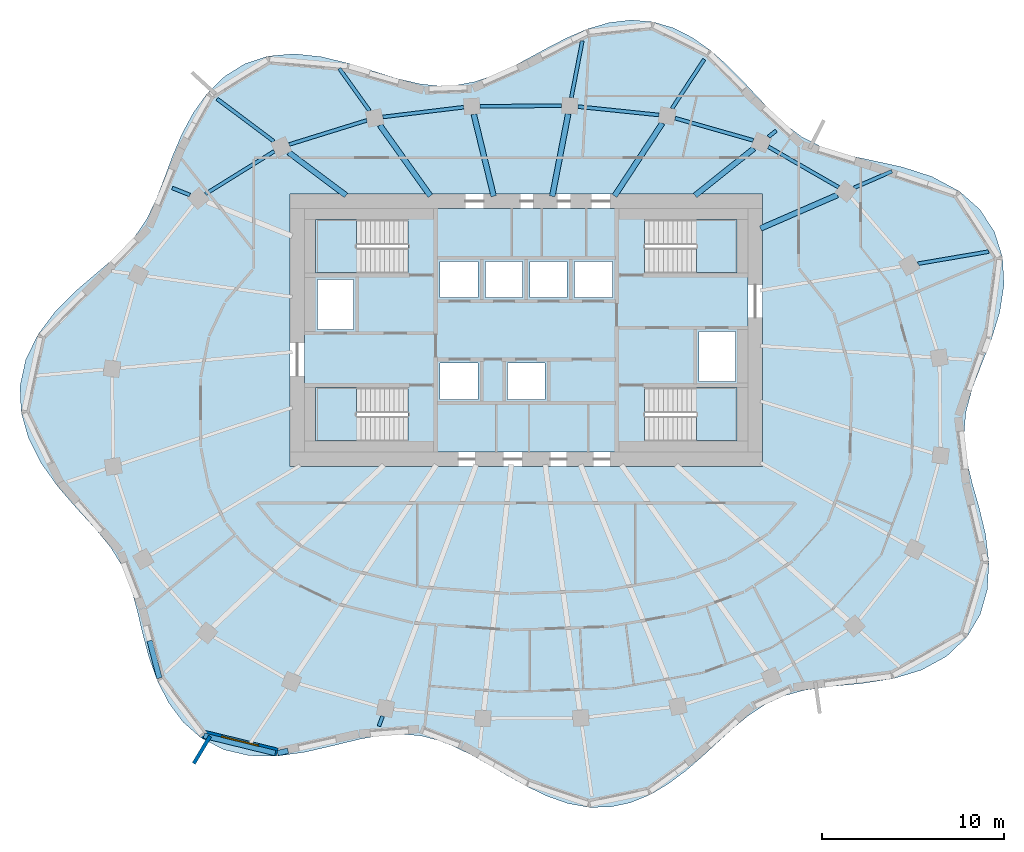
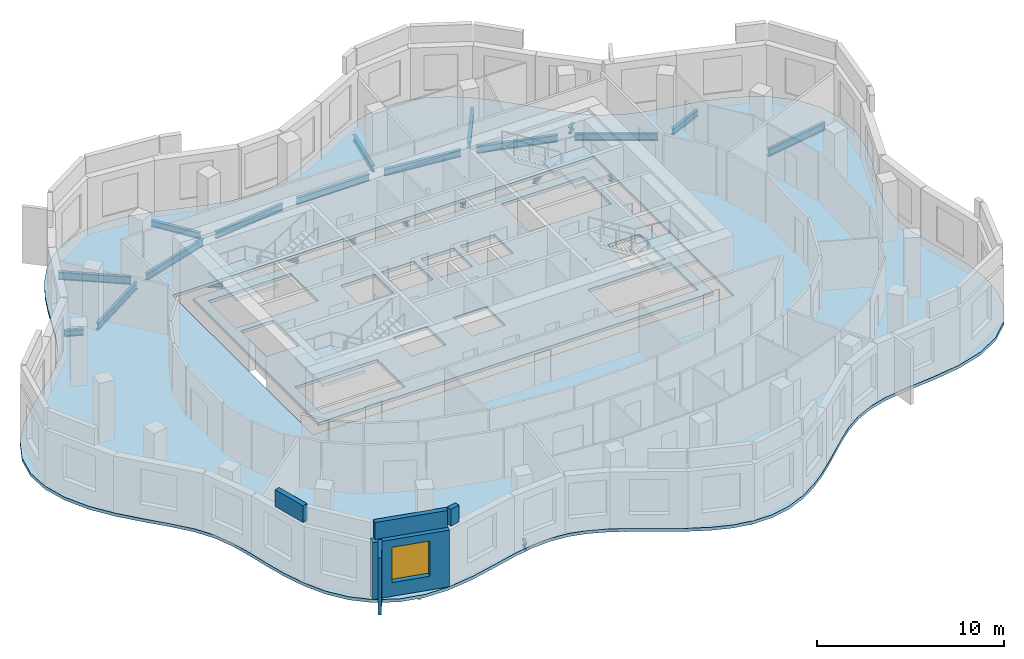
# One storey, part 2 of 10: 23 beams, 6 slabs, 5 walls, 1 window, 1 opening, 4 elements without a shape of their own.
"""IFC4 building model written with IfcOpenShell, lengths in metres."""

from ifc_helpers import new_model, si_unit, direction, frame, frame_2d, origin, origin_2d, place, context, subcontext, project, spatial, polyline, rectangle, i_section, outline, extrude, material, layer, layer_set, material_profile, profile_set, type_object, element, fill, aggregate, save


model = new_model("IFC4")

# Units and contexts
model_context = context("Model", 3, precision=1e-05, world=origin(), true_north=direction((0.0, 1.0)))
body_context = subcontext(model_context, "Body", "Model", "MODEL_VIEW")
ifc_project = project(units=[si_unit("LENGTHUNIT", "METRE"), si_unit("AREAUNIT", "SQUARE_METRE"), si_unit("VOLUMEUNIT", "CUBIC_METRE"), si_unit("PLANEANGLEUNIT", "RADIAN"), si_unit("MASSUNIT", "GRAM", prefix="KILO")], contexts=[model_context])

# Site, building, storey
site_placement = place(None, origin())
site = spatial("IfcSite", under=ifc_project, at=site_placement, CompositionType="ELEMENT")
building_placement = place(site_placement, origin())
building = spatial("IfcBuilding", under=site, at=building_placement, Name="Rubra Terraces Tower", CompositionType="ELEMENT")
storey_placement = place(building_placement, frame((0.0, 0.0, 292.199951171875)))
storey = spatial("IfcBuildingStorey", under=building, at=storey_placement, Name="L72", CompositionType="ELEMENT", Elevation=292.199951171875)

# Beams
ifc_material_1 = material(Name="Steel Q355B", Category="steel")
ifc_material_profile_1 = material_profile(ifc_material_1, i_section(OverallWidth=0.199951171875, OverallDepth=0.39990234375, WebThickness=0.008056640625, FlangeThickness=0.012939453125, at=origin_2d()), Name="HN 400x200x8x13")
ifc_profile_set_1 = profile_set([ifc_material_profile_1], Name="Steel Q355B")
beam_type_1 = type_object("IfcBeamType", Name="CANTILEVER BEAM HN 400x200x8x13", PredefinedType="BEAM", material=ifc_profile_set_1)
beam_1_placement = place(storey_placement, frame((18.047119140625, 12.35205078125, -0.39990234375), z_axis=(0.916811265087, 0.399320803628, 0.0), x_axis=(-0.399320803628, 0.916811265087, 0.0)))
element("IfcBeam", 1, at=beam_1_placement, inside=storey, type_object=beam_type_1, Name="beam-L72-cant-03", PredefinedType="BEAM", context=body_context, shape_type="SweptSolid", body=[
    extrude(i_section(OverallWidth=0.199951171875, OverallDepth=0.39990234375, WebThickness=0.008056640625, FlangeThickness=0.012939453125, at=origin_2d()), origin(), (0.0, 0.0, 1.0), 2.266357421875),
])
beam_2_placement = place(storey_placement, frame((2.47802734375, 17.30810546875, -0.39990234375), z_axis=(0.189955060077, 0.981792786259, 0.0), x_axis=(-0.981792786259, 0.189955060077, 0.0)))
element("IfcBeam", 2, at=beam_2_placement, inside=storey, type_object=beam_type_1, Name="beam-L72-cant-06", PredefinedType="BEAM", context=body_context, shape_type="SweptSolid", body=[
    extrude(i_section(OverallWidth=0.199951171875, OverallDepth=0.39990234375, WebThickness=0.008056640625, FlangeThickness=0.012939453125, at=origin_2d()), origin(), (0.0, 0.0, 1.0), 3.1796875),
])
beam_3_placement = place(storey_placement, frame((-8.632080078125, 16.591064453125, -0.39990234375), z_axis=(-0.580898696932, 0.81397586199, 0.0), x_axis=(-0.81397586199, -0.580898696932, 0.0)))
element("IfcBeam", 3, at=beam_3_placement, inside=storey, type_object=beam_type_1, Name="beam-L72-cant-08", PredefinedType="BEAM", context=body_context, shape_type="SweptSolid", body=[
    extrude(i_section(OverallWidth=0.199951171875, OverallDepth=0.39990234375, WebThickness=0.008056640625, FlangeThickness=0.012939453125, at=origin_2d()), origin(), (0.0, 0.0, 1.0), 2.857421875),
])
ifc_material_profile_2 = material_profile(ifc_material_1, i_section(OverallWidth=0.198974609375, OverallDepth=0.446044921875, WebThickness=0.008056640625, FlangeThickness=0.011962890625, at=origin_2d()), Name="HN 446x199x8x12")
ifc_profile_set_2 = profile_set([ifc_material_profile_2], Name="Steel Q355B")
beam_type_2 = type_object("IfcBeamType", Name="CANTILEVER BEAM HN 446x199x8x12", PredefinedType="BEAM", material=ifc_profile_set_2)
beam_4_placement = place(storey_placement, frame((8.01806640625, 16.714111328125, -0.4228515625), z_axis=(0.548902148332, 0.835886614055, 0.0), x_axis=(-0.835886614055, 0.548902148332, 0.0)))
element("IfcBeam", 4, at=beam_4_placement, inside=storey, type_object=beam_type_2, Name="beam-L72-cant-05", PredefinedType="BEAM", context=body_context, shape_type="SweptSolid", body=[
    extrude(i_section(OverallWidth=0.198974609375, OverallDepth=0.446044921875, WebThickness=0.008056640625, FlangeThickness=0.011962890625, at=origin_2d()), origin(), (0.0, 0.0, 1.0), 3.233642578125),
])
ifc_material_profile_3 = material_profile(ifc_material_1, i_section(OverallWidth=0.198974609375, OverallDepth=0.49609375, WebThickness=0.009033203125, FlangeThickness=0.013916015625, at=origin_2d()), Name="HN 496x199x9x14")
ifc_profile_set_3 = profile_set([ifc_material_profile_3], Name="Steel Q355B")
beam_type_3 = type_object("IfcBeamType", Name="CANTILEVER BEAM HN 496x199x9x14", PredefinedType="BEAM", material=ifc_profile_set_3)
beam_5_placement = place(storey_placement, frame((21.552001953125, 8.169921875, -0.447998046875), z_axis=(0.985809855884, 0.167865803673, 0.0), x_axis=(-0.167865803673, 0.985809855884, 0.0)))
element("IfcBeam", 5, at=beam_5_placement, inside=storey, type_object=beam_type_3, Name="beam-L72-cant-02", PredefinedType="BEAM", context=body_context, shape_type="SweptSolid", body=[
    extrude(i_section(OverallWidth=0.198974609375, OverallDepth=0.49609375, WebThickness=0.009033203125, FlangeThickness=0.013916015625, at=origin_2d()), origin(), (0.0, 0.0, 1.0), 3.9501953125),
])
beam_6_placement = place(storey_placement, frame((-13.89794921875, 14.903076171875, -0.447998046875), z_axis=(-0.800479582074, 0.599360024261, 0.0), x_axis=(-0.599360024261, -0.800479582074, 0.0)))
element("IfcBeam", 6, at=beam_6_placement, inside=storey, type_object=beam_type_3, Name="beam-L72-cant-09", PredefinedType="BEAM", context=body_context, shape_type="SweptSolid", body=[
    extrude(i_section(OverallWidth=0.198974609375, OverallDepth=0.49609375, WebThickness=0.009033203125, FlangeThickness=0.013916015625, at=origin_2d()), origin(), (0.0, 0.0, 1.0), 3.907470703125),
])
ifc_material_profile_4 = material_profile(ifc_material_1, i_section(OverallWidth=0.199951171875, OverallDepth=0.39990234375, WebThickness=0.008056640625, FlangeThickness=0.012939453125, at=origin_2d()), Name="HN 400x200x8x13")
ifc_profile_set_4 = profile_set([ifc_material_profile_4], Name="Steel Q355B")
beam_type_4 = type_object("IfcBeamType", Name="CANTILEVER STUB HN 400x200x8x13", PredefinedType="BEAM", material=ifc_profile_set_4)
beam_7_placement = place(storey_placement, frame((13.326904296875, 15.152099609375, -0.39990234375), z_axis=(0.780868809443, 0.624695047554, 0.0), x_axis=(-0.624695047554, 0.780868809443, 0.0)))
element("IfcBeam", 7, at=beam_7_placement, inside=storey, type_object=beam_type_4, Name="beam-L72-cant-04", PredefinedType="BEAM", context=body_context, shape_type="SweptSolid", body=[
    extrude(i_section(OverallWidth=0.199951171875, OverallDepth=0.39990234375, WebThickness=0.008056640625, FlangeThickness=0.012939453125, at=origin_2d()), origin(), (0.0, 0.0, 1.0), 0.545654296875),
])
beam_8_placement = place(storey_placement, frame((-18.51708984375, 11.949951171875, -0.39990234375), z_axis=(-0.927380211418, 0.374120225958, 0.0), x_axis=(-0.374120225958, -0.927380211418, 0.0)))
element("IfcBeam", 8, at=beam_8_placement, inside=storey, type_object=beam_type_4, Name="beam-L72-cant-10", PredefinedType="BEAM", context=body_context, shape_type="SweptSolid", body=[
    extrude(i_section(OverallWidth=0.199951171875, OverallDepth=0.39990234375, WebThickness=0.008056640625, FlangeThickness=0.012939453125, at=origin_2d()), origin(), (0.0, 0.0, 1.0), 1.048095703125),
])
beam_9_placement = place(storey_placement, frame((-7.909912109375, -16.735107421875, -0.39990234375), z_axis=(-0.35039538298, -0.936601876779, 0.0), x_axis=(0.936601876779, -0.35039538298, 0.0)))
element("IfcBeam", 9, at=beam_9_placement, inside=storey, type_object=beam_type_4, Name="beam-L72-cant-17", PredefinedType="BEAM", context=body_context, shape_type="SweptSolid", body=[
    extrude(i_section(OverallWidth=0.199951171875, OverallDepth=0.39990234375, WebThickness=0.008056640625, FlangeThickness=0.012939453125, at=origin_2d()), origin(), (0.0, 0.0, 1.0), 0.588134765625),
])
ifc_material_profile_5 = material_profile(ifc_material_1, i_section(OverallWidth=0.304931640625, OverallDepth=0.300048828125, WebThickness=0.014892578125, FlangeThickness=0.014892578125, at=origin_2d()), Name="HW 300x305x15x15")
ifc_profile_set_5 = profile_set([ifc_material_profile_5], Name="Steel Q355B")
beam_type_5 = type_object("IfcBeamType", Name="FLOOR BEAM HW 300x305x15x15", PredefinedType="BEAM", material=ifc_profile_set_5)
beam_10_placement = place(storey_placement, frame((17.12109375, 11.949951171875, -0.349853515625), z_axis=(-0.916958146743, -0.398983404569, 0.0), x_axis=(0.398983404569, -0.916958146743, 0.0)))
element("IfcBeam", 10, at=beam_10_placement, inside=storey, type_object=beam_type_5, Name="beam-L72-floor-03", PredefinedType="BEAM", context=body_context, shape_type="SweptSolid", body=[
    extrude(i_section(OverallWidth=0.304931640625, OverallDepth=0.300048828125, WebThickness=0.014892578125, FlangeThickness=0.014892578125, at=origin_2d()), origin(), (0.0, 0.0, 1.0), 4.614501953125),
])
beam_11_placement = place(storey_placement, frame((12.527099609375, 14.511962890625, -0.349853515625), z_axis=(-0.781190597938, -0.624292599423, 0.0), x_axis=(0.624292599423, -0.781190597938, 0.0)))
element("IfcBeam", 11, at=beam_11_placement, inside=storey, type_object=beam_type_5, Name="beam-L72-floor-04", PredefinedType="BEAM", context=body_context, shape_type="SweptSolid", body=[
    extrude(i_section(OverallWidth=0.304931640625, OverallDepth=0.300048828125, WebThickness=0.014892578125, FlangeThickness=0.014892578125, at=origin_2d()), origin(), (0.0, 0.0, 1.0), 4.143798828125),
])
beam_12_placement = place(storey_placement, frame((7.48388671875, 15.89990234375, -0.349853515625), z_axis=(-0.548799087814, -0.835954281773, 0.0), x_axis=(0.835954281773, -0.548799087814, 0.0)))
element("IfcBeam", 12, at=beam_12_placement, inside=storey, type_object=beam_type_5, Name="beam-L72-floor-05", PredefinedType="BEAM", context=body_context, shape_type="SweptSolid", body=[
    extrude(i_section(OverallWidth=0.304931640625, OverallDepth=0.300048828125, WebThickness=0.014892578125, FlangeThickness=0.014892578125, at=origin_2d()), origin(), (0.0, 0.0, 1.0), 4.784912109375),
])
beam_13_placement = place(storey_placement, frame((2.305908203125, 16.416015625, -0.349853515625), z_axis=(-0.190104093884, -0.981763939798, 0.0), x_axis=(0.981763939798, -0.190104093884, 0.0)))
element("IfcBeam", 13, at=beam_13_placement, inside=storey, type_object=beam_type_5, Name="beam-L72-floor-06", PredefinedType="BEAM", context=body_context, shape_type="SweptSolid", body=[
    extrude(i_section(OverallWidth=0.304931640625, OverallDepth=0.300048828125, WebThickness=0.014892578125, FlangeThickness=0.014892578125, at=origin_2d()), origin(), (0.0, 0.0, 1.0), 4.6181640625),
])
beam_14_placement = place(storey_placement, frame((-2.89111328125, 16.39208984375, -0.349853515625), z_axis=(0.236229407797, -0.971697312383, 0.0), x_axis=(0.971697312383, 0.236229407797, 0.0)))
element("IfcBeam", 14, at=beam_14_placement, inside=storey, type_object=beam_type_5, Name="beam-L72-floor-07", PredefinedType="BEAM", context=body_context, shape_type="SweptSolid", body=[
    extrude(i_section(OverallWidth=0.304931640625, OverallDepth=0.300048828125, WebThickness=0.014892578125, FlangeThickness=0.014892578125, at=origin_2d()), origin(), (0.0, 0.0, 1.0), 4.640380859375),
])
beam_15_placement = place(storey_placement, frame((-8.06201171875, 15.79296875, -0.349853515625), z_axis=(0.580948286594, -0.813940469754, 0.0), x_axis=(0.813940469754, 0.580948286594, 0.0)))
element("IfcBeam", 15, at=beam_15_placement, inside=storey, type_object=beam_type_5, Name="beam-L72-floor-08", PredefinedType="BEAM", context=body_context, shape_type="SweptSolid", body=[
    extrude(i_section(OverallWidth=0.304931640625, OverallDepth=0.300048828125, WebThickness=0.014892578125, FlangeThickness=0.014892578125, at=origin_2d()), origin(), (0.0, 0.0, 1.0), 4.7802734375),
])
beam_16_placement = place(storey_placement, frame((-13.075927734375, 14.2890625, -0.349853515625), z_axis=(0.800431185592, -0.599424655092, 0.0), x_axis=(0.599424655092, 0.800431185592, 0.0)))
element("IfcBeam", 16, at=beam_16_placement, inside=storey, type_object=beam_type_5, Name="beam-L72-floor-09", PredefinedType="BEAM", context=body_context, shape_type="SweptSolid", body=[
    extrude(i_section(OverallWidth=0.304931640625, OverallDepth=0.300048828125, WebThickness=0.014892578125, FlangeThickness=0.014892578125, at=origin_2d()), origin(), (0.0, 0.0, 1.0), 3.93896484375),
])
ifc_material_profile_6 = material_profile(ifc_material_1, i_section(OverallWidth=0.198974609375, OverallDepth=0.446044921875, WebThickness=0.008056640625, FlangeThickness=0.011962890625, at=origin_2d()), Name="HN 446x199x8x12")
ifc_profile_set_6 = profile_set([ifc_material_profile_6], Name="Steel Q355B")
beam_type_6 = type_object("IfcBeamType", Name="SPANDREL BEAM HN 446x199x8x12", PredefinedType="SPANDREL", material=ifc_profile_set_6)
beam_17_placement = place(storey_placement, frame((17.18798828125, 12.37890625, -0.4228515625), z_axis=(-0.866616005945, 0.498975648945, 0.0), x_axis=(-0.498975648945, -0.866616005945, 0.0)))
element("IfcBeam", 17, at=beam_17_placement, inside=storey, type_object=beam_type_6, Name="beam-L72-spandrel-03", PredefinedType="SPANDREL", context=body_context, shape_type="SweptSolid", body=[
    extrude(i_section(OverallWidth=0.198974609375, OverallDepth=0.446044921875, WebThickness=0.008056640625, FlangeThickness=0.011962890625, at=origin_2d()), origin(), (0.0, 0.0, 1.0), 4.463134765625),
])
beam_18_placement = place(storey_placement, frame((12.490966796875, 14.9560546875, -0.4228515625), z_axis=(-0.961713024643, 0.27405849418, 0.0), x_axis=(-0.27405849418, -0.961713024643, 0.0)))
element("IfcBeam", 18, at=beam_18_placement, inside=storey, type_object=beam_type_6, Name="beam-L72-spandrel-04", PredefinedType="SPANDREL", context=body_context, shape_type="SweptSolid", body=[
    extrude(i_section(OverallWidth=0.198974609375, OverallDepth=0.446044921875, WebThickness=0.008056640625, FlangeThickness=0.011962890625, at=origin_2d()), origin(), (0.0, 0.0, 1.0), 4.477294921875),
])
beam_19_placement = place(storey_placement, frame((7.302001953125, 16.35400390625, -0.4228515625), z_axis=(-0.994684107425, 0.102973425873, 0.0), x_axis=(-0.102973425873, -0.994684107425, 0.0)))
element("IfcBeam", 19, at=beam_19_placement, inside=storey, type_object=beam_type_6, Name="beam-L72-spandrel-05", PredefinedType="SPANDREL", context=body_context, shape_type="SweptSolid", body=[
    extrude(i_section(OverallWidth=0.198974609375, OverallDepth=0.446044921875, WebThickness=0.008056640625, FlangeThickness=0.011962890625, at=origin_2d()), origin(), (0.0, 0.0, 1.0), 4.48583984375),
])
beam_20_placement = place(storey_placement, frame((1.94091796875, 16.860107421875, -0.4228515625), z_axis=(-0.999987753188, -0.004949088244, 0.0), x_axis=(0.004949088244, -0.999987753188, 0.0)))
element("IfcBeam", 20, at=beam_20_placement, inside=storey, type_object=beam_type_6, Name="beam-L72-spandrel-06", PredefinedType="SPANDREL", context=body_context, shape_type="SweptSolid", body=[
    extrude(i_section(OverallWidth=0.198974609375, OverallDepth=0.446044921875, WebThickness=0.008056640625, FlangeThickness=0.011962890625, at=origin_2d()), origin(), (0.0, 0.0, 1.0), 4.489013671875),
])
beam_21_placement = place(storey_placement, frame((-3.447021484375, 16.781982421875, -0.4228515625), z_axis=(-0.992829862118, -0.119536040116, 0.0), x_axis=(0.119536040116, -0.992829862118, 0.0)))
element("IfcBeam", 21, at=beam_21_placement, inside=storey, type_object=beam_type_6, Name="beam-L72-spandrel-07", PredefinedType="SPANDREL", context=body_context, shape_type="SweptSolid", body=[
    extrude(i_section(OverallWidth=0.198974609375, OverallDepth=0.446044921875, WebThickness=0.008056640625, FlangeThickness=0.011962890625, at=origin_2d()), origin(), (0.0, 0.0, 1.0), 4.483154296875),
])
beam_22_placement = place(storey_placement, frame((-8.779052734375, 16.05810546875, -0.4228515625), z_axis=(-0.955035382264, -0.296491852541, 0.0), x_axis=(0.296491852541, -0.955035382264, 0.0)))
element("IfcBeam", 22, at=beam_22_placement, inside=storey, type_object=beam_type_6, Name="beam-L72-spandrel-08", PredefinedType="SPANDREL", context=body_context, shape_type="SweptSolid", body=[
    extrude(i_section(OverallWidth=0.198974609375, OverallDepth=0.446044921875, WebThickness=0.008056640625, FlangeThickness=0.011962890625, at=origin_2d()), origin(), (0.0, 0.0, 1.0), 4.47607421875),
])
beam_23_placement = place(storey_placement, frame((-13.8720703125, 14.35693359375, -0.4228515625), z_axis=(-0.849641857012, -0.527360137679, 0.0), x_axis=(0.527360137679, -0.849641857012, 0.0)))
element("IfcBeam", 23, at=beam_23_placement, inside=storey, type_object=beam_type_6, Name="beam-L72-spandrel-09", PredefinedType="SPANDREL", context=body_context, shape_type="SweptSolid", body=[
    extrude(i_section(OverallWidth=0.198974609375, OverallDepth=0.446044921875, WebThickness=0.008056640625, FlangeThickness=0.011962890625, at=origin_2d()), origin(), (0.0, 0.0, 1.0), 4.4619140625),
])

# Slab
ifc_material_2 = material(Name="Concrete C40", Category="concrete")
ifc_layer_1 = layer(ifc_material_2, 0.199951171875)
ifc_layer_set_1 = layer_set([ifc_layer_1], Name="Concrete C40")
slab_type_1 = type_object("IfcSlabType", Name="Core floor slab 200 concrete", PredefinedType="FLOOR", material=ifc_layer_set_1)
slab_1_placement = place(storey_placement, frame((0.0, 0.0, -0.199951171875)))
element("IfcSlab", 24, at=slab_1_placement, inside=storey, type_object=slab_type_1, Name="CORE FLOOR SLAB L72", PredefinedType="FLOOR", context=body_context, shape_type="SweptSolid", body=[
    extrude(outline(polyline([(-12.199951171875, -2.199951171875), (-12.199951171875, 11.199951171875), (12.199951171875, 11.199951171875), (12.199951171875, -2.199951171875), (-12.199951171875, -2.199951171875)]), holes=[polyline([(11.597900390625, 1.347900390625), (6.501953125, 1.347900390625), (6.501953125, -1.597900390625), (11.597900390625, -1.597900390625), (11.597900390625, 1.347900390625)]), polyline([(11.597900390625, 7.652099609375), (11.597900390625, 10.597900390625), (6.501953125, 10.597900390625), (6.501953125, 7.652099609375), (11.597900390625, 7.652099609375)]), polyline([(9.5, 1.699951171875), (11.5, 1.699951171875), (11.5, 4.449951171875), (9.5, 4.449951171875), (9.5, 1.699951171875)]), polyline([(4.75, 6.300048828125), (4.75, 8.300048828125), (2.64990234375, 8.300048828125), (2.64990234375, 6.300048828125), (4.75, 6.300048828125)]), polyline([(2.25, 8.300048828125), (0.199951171875, 8.300048828125), (0.199951171875, 6.300048828125), (2.25, 6.300048828125), (2.25, 8.300048828125)]), polyline([(1.02490234375, 0.699951171875), (1.02490234375, 2.699951171875), (-1.02490234375, 2.699951171875), (-1.02490234375, 0.699951171875), (1.02490234375, 0.699951171875)]), polyline([(-0.199951171875, 6.300048828125), (-0.199951171875, 8.300048828125), (-2.25, 8.300048828125), (-2.25, 6.300048828125), (-0.199951171875, 6.300048828125)]), polyline([(-4.75, 8.300048828125), (-4.75, 6.300048828125), (-2.64990234375, 6.300048828125), (-2.64990234375, 8.300048828125), (-4.75, 8.300048828125)]), polyline([(-2.64990234375, 0.699951171875), (-2.64990234375, 2.699951171875), (-4.75, 2.699951171875), (-4.75, 0.699951171875), (-2.64990234375, 0.699951171875)]), polyline([(-11.597900390625, -1.597900390625), (-6.501953125, -1.597900390625), (-6.501953125, 1.347900390625), (-11.597900390625, 1.347900390625), (-11.597900390625, -1.597900390625)]), polyline([(-11.597900390625, 10.597900390625), (-11.597900390625, 7.652099609375), (-6.501953125, 7.652099609375), (-6.501953125, 10.597900390625), (-11.597900390625, 10.597900390625)]), polyline([(-9.5, 4.550048828125), (-9.5, 7.300048828125), (-11.5, 7.300048828125), (-11.5, 4.550048828125), (-9.5, 4.550048828125)])]), origin(), (0.0, 0.0, 1.0), 0.199951171875),
])

# Stair, slab
stair_type = type_object("IfcStairType", Name="Core stair 1400", PredefinedType="HALF_TURN_STAIR", material=ifc_material_2)
stair_1_placement = place(storey_placement, origin())
stair_1 = element("IfcStair", 25, at=stair_1_placement, inside=storey, type_object=stair_type, Name="L72 Exit stair S1", PredefinedType="HALF_TURN_STAIR")
ifc_layer_2 = layer(ifc_material_2, 0.199951171875)
ifc_layer_set_2 = layer_set([ifc_layer_2], Name="Concrete C40")
slab_type_2 = type_object("IfcSlabType", Name="Core stair landing 200", PredefinedType="LANDING", material=ifc_layer_set_2)
slab_2_placement = place(storey_placement, frame((0.0, 0.0, 1.75)))
slab_2 = element("IfcSlab", 26, at=slab_2_placement, type_object=slab_type_2, Name="S1 landing 1", PredefinedType="LANDING", context=body_context, shape_type="SweptSolid", body=[
    extrude(outline(polyline([(-8.97998046875, -0.199951171875), (-8.97998046875, -1.60009765625), (-9.360107421875, -1.60009765625), (-9.3798828125, -1.60009765625), (-11.60009765625, -1.60009765625), (-11.60009765625, 1.35009765625), (-9.3798828125, 1.35009765625), (-9.35791015625, 1.35009765625), (-9.35791015625, -0.050048828125), (-9.360107421875, -0.050048828125), (-9.360107421875, -0.199951171875), (-8.97998046875, -0.199951171875)])), origin(), (0.0, 0.0, 1.0), 0.199951171875),
])
aggregate(stair_1, [slab_2])

stair_2_placement = place(storey_placement, origin())
stair_2 = element("IfcStair", 27, at=stair_2_placement, inside=storey, type_object=stair_type, Name="L72 Exit stair S2", PredefinedType="HALF_TURN_STAIR")
slab_3_placement = place(storey_placement, frame((0.0, 0.0, 1.75)))
slab_3 = element("IfcSlab", 28, at=slab_3_placement, type_object=slab_type_2, Name="S2 landing 1", PredefinedType="LANDING", context=body_context, shape_type="SweptSolid", body=[
    extrude(outline(polyline([(-8.97998046875, 9.050048828125), (-8.97998046875, 7.64990234375), (-9.3798828125, 7.64990234375), (-11.60009765625, 7.64990234375), (-11.60009765625, 10.60009765625), (-9.3798828125, 10.60009765625), (-9.360107421875, 10.60009765625), (-9.35791015625, 10.60009765625), (-9.35791015625, 9.199951171875), (-9.360107421875, 9.199951171875), (-9.360107421875, 9.050048828125), (-8.97998046875, 9.050048828125)])), origin(), (0.0, 0.0, 1.0), 0.199951171875),
])
aggregate(stair_2, [slab_3])

stair_3_placement = place(storey_placement, origin())
stair_3 = element("IfcStair", 29, at=stair_3_placement, inside=storey, type_object=stair_type, Name="L72 Exit stair S3", PredefinedType="HALF_TURN_STAIR")
slab_4_placement = place(storey_placement, frame((0.0, 0.0, 1.75)))
slab_4 = element("IfcSlab", 30, at=slab_4_placement, type_object=slab_type_2, Name="S3 landing 1", PredefinedType="LANDING", context=body_context, shape_type="SweptSolid", body=[
    extrude(outline(polyline([(9.360107421875, 9.050048828125), (9.360107421875, 9.199951171875), (8.97998046875, 9.199951171875), (8.97998046875, 10.60009765625), (9.360107421875, 10.60009765625), (9.3798828125, 10.60009765625), (11.60009765625, 10.60009765625), (11.60009765625, 7.64990234375), (9.3798828125, 7.64990234375), (9.35791015625, 7.64990234375), (9.35791015625, 9.050048828125), (9.360107421875, 9.050048828125)])), origin(), (0.0, 0.0, 1.0), 0.199951171875),
])
aggregate(stair_3, [slab_4])

stair_4_placement = place(storey_placement, origin())
stair_4 = element("IfcStair", 31, at=stair_4_placement, inside=storey, type_object=stair_type, Name="L72 Exit stair S4", PredefinedType="HALF_TURN_STAIR")
slab_5_placement = place(storey_placement, frame((0.0, 0.0, 1.75)))
slab_5 = element("IfcSlab", 32, at=slab_5_placement, type_object=slab_type_2, Name="S4 landing 1", PredefinedType="LANDING", context=body_context, shape_type="SweptSolid", body=[
    extrude(outline(polyline([(9.360107421875, -0.199951171875), (9.360107421875, -0.050048828125), (8.97998046875, -0.050048828125), (8.97998046875, 1.35009765625), (9.360107421875, 1.35009765625), (9.3798828125, 1.35009765625), (11.60009765625, 1.35009765625), (11.60009765625, -1.60009765625), (9.3798828125, -1.60009765625), (9.360107421875, -1.60009765625), (9.35791015625, -1.60009765625), (9.35791015625, -0.199951171875), (9.360107421875, -0.199951171875)])), origin(), (0.0, 0.0, 1.0), 0.199951171875),
])
aggregate(stair_4, [slab_5])

# Slab
ifc_layer_3 = layer(ifc_material_2, 0.199951171875)
ifc_layer_set_3 = layer_set([ifc_layer_3], Name="Concrete C40")
slab_type_3 = type_object("IfcSlabType", Name="FLOOR SLAB 200 COMPOSITE", PredefinedType="FLOOR", material=ifc_layer_set_3)
slab_6_placement = place(storey_placement, frame((0.0, 0.0, -0.199951171875)))
element("IfcSlab", 33, at=slab_6_placement, inside=storey, type_object=slab_type_3, Name="FLOOR SLAB L72", PredefinedType="FLOOR", context=body_context, shape_type="SweptSolid", body=[
    extrude(outline(polyline([(24.0849609375, -1.2900390625), (24.193115234375, 0.0), (24.544921875, 1.305908203125), (25.05908203125, 2.64111328125), (25.614990234375, 4.056884765625), (26.06005859375, 5.510009765625), (26.291015625, 7.01806640625), (26.2109375, 8.51611328125), (25.76708984375, 9.925048828125), (24.9599609375, 11.156005859375), (23.844970703125, 12.14990234375), (22.326904296875, 12.964111328125), (20.68408203125, 13.493896484375), (19.06005859375, 13.847900390625), (17.616943359375, 14.156005859375), (16.318115234375, 14.56103515625), (15.156005859375, 15.156005859375), (14.306884765625, 15.7880859375), (13.486083984375, 16.553955078125), (12.658935546875, 17.424072265625), (11.868896484375, 18.27294921875), (11.032958984375, 19.117919921875), (10.14208984375, 19.905029296875), (9.14306640625, 20.613037109375), (8.0849609375, 21.14990234375), (6.97900390625, 21.47900390625), (5.77294921875, 21.5830078125), (4.552978515625, 21.43994140625), (3.339111328125, 21.0810546875), (2.205078125, 20.589111328125), (1.093017578125, 20.010986328125), (0.0, 19.4130859375), (-0.97509765625, 18.9140625), (-1.93408203125, 18.491943359375), (-2.87890625, 18.179931640625), (-3.867919921875, 17.991943359375), (-4.861083984375, 17.9580078125), (-5.8720703125, 18.071044921875), (-7.123046875, 18.365966796875), (-8.426025390625, 18.77001953125), (-9.780029296875, 19.194091796875), (-11.27392578125, 19.56005859375), (-12.77490234375, 19.721923828125), (-14.23388671875, 19.592041015625), (-15.471923828125, 19.18310546875), (-16.589111328125, 18.493896484375), (-17.555908203125, 17.555908203125), (-18.319091796875, 16.498046875), (-18.945068359375, 15.3349609375), (-19.4560546875, 14.135986328125), (-19.930908203125, 12.864013671875), (-20.384033203125, 11.68798828125), (-20.885009765625, 10.64111328125), (-21.60595703125, 9.577880859375), (-22.52294921875, 8.62109375), (-23.623046875, 7.676025390625), (-24.782958984375, 6.68310546875), (-25.9169921875, 5.549072265625), (-26.887939453125, 4.259033203125), (-27.554931640625, 2.8779296875), (-27.867919921875, 1.43408203125), (-27.806884765625, 0.0), (-27.407958984375, -1.41796875), (-26.7099609375, -2.801025390625), (-25.800048828125, -4.0859375), (-24.75390625, -5.2958984375), (-23.74609375, -6.39208984375), (-22.884033203125, -7.43603515625), (-22.239990234375, -8.47900390625), (-21.77294921875, -9.625), (-21.419921875, -10.9140625), (-21.1298828125, -12.15087890625), (-20.782958984375, -13.4541015625), (-20.31689453125, -14.761962890625), (-19.697021484375, -15.98193359375), (-18.89697265625, -17.056884765625), (-17.919921875, -17.919921875), (-16.65087890625, -18.5810546875), (-15.242919921875, -18.908935546875), (-13.757080078125, -18.93505859375), (-12.18310546875, -18.716064453125), (-10.64404296875, -18.361083984375), (-9.172119140625, -18.001953125), (-8.00390625, -17.7900390625), (-6.881103515625, -17.718017578125), (-5.7900390625, -17.821044921875), (-4.862060546875, -18.05810546875), (-3.931884765625, -18.422119140625), (-2.991943359375, -18.889892578125), (-2.012939453125, -19.44091796875), (-1.013916015625, -20.02294921875), (0.0, -20.5869140625), (1.131103515625, -21.134033203125), (2.281005859375, -21.5400390625), (3.445068359375, -21.751953125), (4.596923828125, -21.739990234375), (5.73291015625, -21.5), (6.837890625, -21.0439453125), (7.826904296875, -20.4541015625), (8.77099609375, -19.748046875), (9.6669921875, -18.972900390625), (10.52490234375, -18.180908203125), (11.35302734375, -17.426025390625), (12.1689453125, -16.7490234375), (13.155029296875, -16.091064453125), (14.18994140625, -15.613037109375), (15.305908203125, -15.305908203125), (16.818115234375, -15.093994140625), (18.468994140625, -14.93701171875), (20.19189453125, -14.669921875), (21.739013671875, -14.201904296875), (23.134033203125, -13.43896484375), (24.260986328125, -12.362060546875), (24.98291015625, -11.135986328125), (25.3779296875, -9.7451171875), (25.4599609375, -8.27294921875), (25.278076171875, -6.735107421875), (24.927001953125, -5.261962890625), (24.534912109375, -3.885986328125), (24.218017578125, -2.56396484375), (24.0849609375, -1.2900390625)]), holes=[polyline([(13.0, 12.0), (13.0, -3.0), (-13.0, -3.0), (-13.0, 12.0), (13.0, 12.0)])]), origin(), (0.0, 0.0, 1.0), 0.199951171875),
])

# Wall, opening, window
ifc_material_3 = material(Name="Brick masonry red-brown", Category="masonry")
ifc_layer_4 = layer(ifc_material_3, 0.449951171875)
ifc_layer_set_4 = layer_set([ifc_layer_4], Name="Brick masonry red-brown")
wall_type_1 = type_object("IfcWallType", Name="Brick facade wall 450", PredefinedType="SOLIDWALL", material=ifc_layer_set_4)
wall_1_placement = place(storey_placement, frame((-17.86669921875, -17.701416015625, 0.0), z_axis=(0.0, 0.0, 1.0), x_axis=(0.971546885012, -0.236847314156, 0.0)))
wall_1 = element("IfcWall", 34, at=wall_1_placement, inside=storey, type_object=wall_type_1, Name="Facade wall L72 bay 26", PredefinedType="SOLIDWALL", context=body_context, shape_type="SweptSolid", body=[
    extrude(rectangle(XDim=4.284912109375, YDim=0.449951171875, at=frame_2d((2.142578125, 0.0))), origin(), (0.0, 0.0, 1.0), 3.699951171875),
])
opening_placement = place(wall_1_placement, frame((1.092529296875, 0.0, 0.89990234375)))
opening = element("IfcOpeningElement", 35, at=opening_placement, cuts=wall_1, Name="Opening W1B", PredefinedType="OPENING", context=body_context, shape_type="SweptSolid", body=[
    extrude(rectangle(XDim=2.10009765625, YDim=2.300048828125, at=frame_2d((1.050048828125, 1.14990234375))), frame((0.0, 0.23486328125, 0.0), z_axis=(0.0, -1.0, 0.0), x_axis=(1.0, 0.0, 0.0)), (0.0, 0.0, 1.0), 0.469970703125),
])
ifc_material_4 = material(Name="Clear glass in aluminium frame", Category="aluminium")
window_type = type_object("IfcWindowType", Name="Fixed deep-set window tall storey 2100 x 2300", PartitioningType="SINGLE_PANEL", PredefinedType="WINDOW", material=ifc_material_4)
window_placement = place(opening_placement, origin())
window = element("IfcWindow", 36, at=window_placement, inside=storey, type_object=window_type, Name="Window L72 bay 26", OverallHeight=2.300048828125, OverallWidth=2.10009765625, PartitioningType="SINGLE_PANEL", PredefinedType="WINDOW", context=body_context, shape_type="SweptSolid", body=[
    extrude(rectangle(XDim=2.10009765625, YDim=2.300048828125, at=frame_2d((1.050048828125, 1.14990234375))), frame((0.0, 0.135009765625, 0.0), z_axis=(0.0, -1.0, 0.0), x_axis=(1.0, 0.0, 0.0)), (0.0, 0.0, 1.0), 0.06005859375),
])
fill(opening, window)

# Walls
ifc_layer_5 = layer(ifc_material_3, 0.300048828125)
ifc_layer_set_5 = layer_set([ifc_layer_5], Name="Brick masonry red-brown")
wall_type_2 = type_object("IfcWallType", Name="Brick parapet 300", PredefinedType="PARAPET", material=ifc_layer_set_5)
wall_2_placement = place(storey_placement, frame((-20.73291015625, -12.578857421875, 3.900146484375), z_axis=(0.0, 0.0, 1.0), x_axis=(0.253024439664, -0.967459886989, 0.0)))
element("IfcWall", 37, at=wall_2_placement, inside=storey, type_object=wall_type_2, Name="Parapet L72 bay 24", PredefinedType="PARAPET", context=body_context, shape_type="SweptSolid", body=[
    extrude(rectangle(XDim=2.127685546875, YDim=0.300048828125, at=frame_2d((1.06396484375, 0.0))), origin(), (0.0, 0.0, 1.0), 1.099853515625),
])
wall_3_placement = place(storey_placement, frame((-17.751708984375, -17.806640625, 3.900146484375), z_axis=(0.0, 0.0, 1.0), x_axis=(0.971541327586, -0.236870109537, 0.0)))
element("IfcWall", 38, at=wall_3_placement, inside=storey, type_object=wall_type_2, Name="Parapet L72 bay 26", PredefinedType="PARAPET", context=body_context, shape_type="SweptSolid", body=[
    extrude(rectangle(XDim=4.048583984375, YDim=0.300048828125, at=frame_2d((2.0244140625, 0.0))), origin(), (0.0, 0.0, 1.0), 1.099853515625),
])
wall_4_placement = place(storey_placement, frame((-13.69189453125, -18.76708984375, 3.900146484375), z_axis=(0.0, 0.0, 1.0), x_axis=(0.976322856637, 0.216318468024, 0.0)))
element("IfcWall", 39, at=wall_4_placement, inside=storey, type_object=wall_type_2, Name="Parapet L72 bay 27", PredefinedType="PARAPET", context=body_context, shape_type="SweptSolid", body=[
    extrude(rectangle(XDim=0.59130859375, YDim=0.300048828125, at=frame_2d((0.295654296875, 0.0))), origin(), (0.0, 0.0, 1.0), 1.099853515625),
])
ifc_layer_6 = layer(ifc_material_3, 0.199951171875)
ifc_layer_set_6 = layer_set([ifc_layer_6], Name="Brick masonry red-brown")
wall_type_3 = type_object("IfcWallType", Name="Brick wind fin 200", PredefinedType="SOLIDWALL", material=ifc_layer_set_6)
wall_5_placement = place(storey_placement, frame((-17.406005859375, -17.8349609375, 0.0), z_axis=(0.0, 0.0, 1.0), x_axis=(-0.512648290506, -0.858598701514, 0.0)))
element("IfcWall", 40, at=wall_5_placement, inside=storey, type_object=wall_type_3, Name="Wind fin L72 13", PredefinedType="SOLIDWALL", context=body_context, shape_type="SweptSolid", body=[
    extrude(rectangle(XDim=1.750244140625, YDim=0.199951171875, at=frame_2d((0.875, 0.0))), origin(), (0.0, 0.0, 1.0), 3.699951171875),
])

save(model, "model.ifc")
